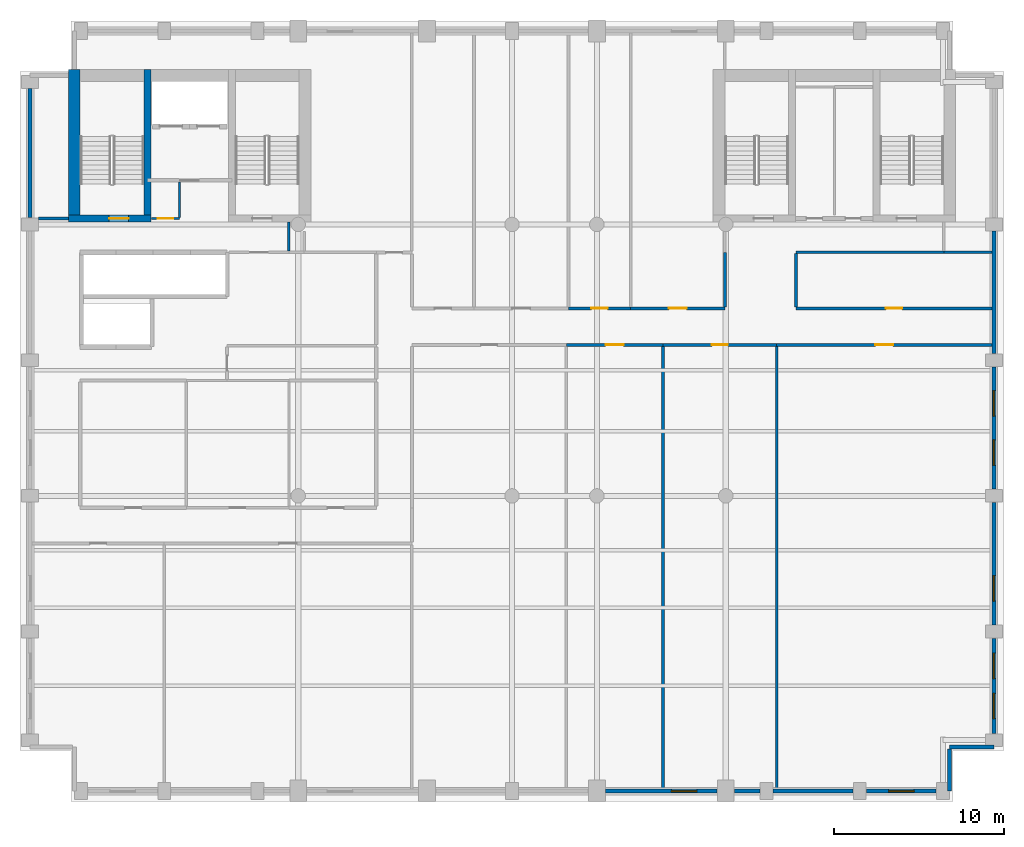
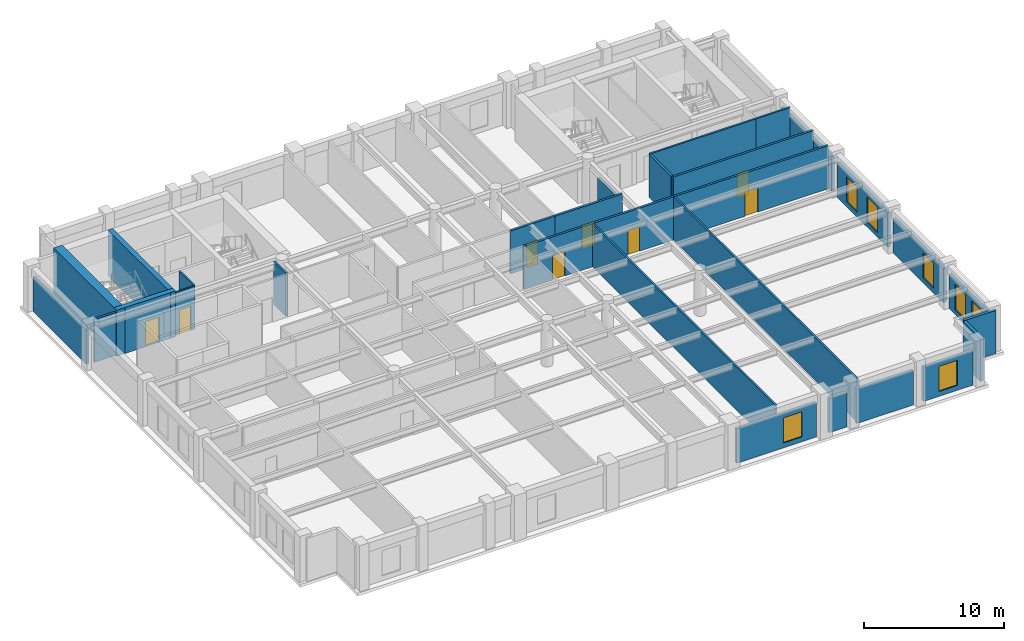
# One storey, part 4 of 8: 30 walls, 8 doors, 7 windows, 15 openings.
"""IFC4 building model written with IfcOpenShell, lengths in metres."""

from ifc_helpers import new_model, si_unit, direction, frame, frame_2d, origin, place, context, subcontext, project, spatial, rectangle, extrude, material, layer, layer_set, type_object, element, fill, save


model = new_model("IFC4")

# Units and contexts
model_context = context("Model", 3, precision=1e-05, world=origin(), true_north=direction((0.0, 1.0)))
body_context = subcontext(model_context, "Body", "Model", "MODEL_VIEW")
ifc_project = project(units=[si_unit("LENGTHUNIT", "METRE"), si_unit("AREAUNIT", "SQUARE_METRE"), si_unit("VOLUMEUNIT", "CUBIC_METRE"), si_unit("PLANEANGLEUNIT", "RADIAN"), si_unit("MASSUNIT", "GRAM", prefix="KILO")], contexts=[model_context])

# Site, building, storey
site_placement = place(None, origin())
site = spatial("IfcSite", under=ifc_project, at=site_placement, CompositionType="ELEMENT")
building_placement = place(site_placement, origin())
building = spatial("IfcBuilding", under=site, at=building_placement, Name="Sulina Concourse Tower", CompositionType="ELEMENT")
storey_placement = place(building_placement, frame((0.0, 0.0, 226.60009765625)))
storey = spatial("IfcBuildingStorey", under=building, at=storey_placement, Name="L55", CompositionType="ELEMENT", Elevation=226.60009765625)

# Wall, opening, window
ifc_material_1 = material(Name="Precast concrete C50/60", Category="concrete")
ifc_layer_1 = layer(ifc_material_1, 0.239990234375)
ifc_layer_set_1 = layer_set([ifc_layer_1], Name="Precast concrete C50/60")
wall_type_1 = type_object("IfcWallType", Name="Crown Precast Masonry-Frame Facade Wall 240mm", PredefinedType="SOLIDWALL", material=ifc_layer_set_1)
wall_1_placement = place(storey_placement, frame((41.080078125, 0.60009765625, 0.0), z_axis=(0.0, 0.0, 1.0), x_axis=(-1.0, 0.0, 0.0)))
wall_1 = element("IfcWall", 1, at=wall_1_placement, inside=storey, type_object=wall_type_1, Name="L55 exterior precast wall S7", PredefinedType="SOLIDWALL", context=body_context, shape_type="SweptSolid", body=[
    extrude(rectangle(XDim=6.56005859375, YDim=0.239990234375, at=frame_2d((3.280029296875, 0.0))), origin(), (0.0, 0.0, 1.0), 3.0),
])
opening_1_placement = place(wall_1_placement, frame((1.186767578125, 0.0, 0.419921875)))
opening_1 = element("IfcOpeningElement", 2, at=opening_1_placement, cuts=wall_1, Name="Opening WN-71", PredefinedType="OPENING", context=body_context, shape_type="SweptSolid", body=[
    extrude(rectangle(XDim=1.5, YDim=2.199951171875, at=frame_2d((0.75, 1.10009765625))), frame((0.0, 0.1298828125, 0.0), z_axis=(0.0, -1.0, 0.0), x_axis=(1.0, 0.0, 0.0)), (0.0, 0.0, 1.0), 0.260009765625),
])
ifc_material_2 = material(Name="Low-E solar double glazing in bronze aluminium", Category="aluminium")
window_type = type_object("IfcWindowType", Name="Punched Masonry-Frame Window 1500x2200", PartitioningType="SINGLE_PANEL", PredefinedType="WINDOW", material=ifc_material_2)
window_1_placement = place(opening_1_placement, origin())
window_1 = element("IfcWindow", 3, at=window_1_placement, inside=storey, type_object=window_type, Name="L55 punched window S7-1", OverallHeight=2.199951171875, OverallWidth=1.5, PartitioningType="SINGLE_PANEL", PredefinedType="WINDOW", context=body_context, shape_type="SweptSolid", body=[
    extrude(rectangle(XDim=1.5, YDim=2.199951171875, at=frame_2d((0.75, 1.10009765625))), frame((0.0, 0.030029296875, 0.0), z_axis=(0.0, -1.0, 0.0), x_axis=(1.0, 0.0, 0.0)), (0.0, 0.0, 1.0), 0.06005859375),
])
fill(opening_1, window_1)

# Walls
wall_2_placement = place(storey_placement, frame((43.60498046875, 0.60009765625, 0.0), z_axis=(0.0, 0.0, 1.0), x_axis=(-1.0, 0.0, 0.0)))
element("IfcWall", 4, at=wall_2_placement, inside=storey, type_object=wall_type_1, Name="L55 exterior precast wall S8", PredefinedType="SOLIDWALL", context=body_context, shape_type="SweptSolid", body=[
    extrude(rectangle(XDim=1.48486328125, YDim=0.239990234375, at=frame_2d((0.742431640625, 0.0))), origin(), (0.0, 0.0, 1.0), 3.0),
])
wall_3_placement = place(storey_placement, frame((49.10498046875, 0.60009765625, 0.0), z_axis=(0.0, 0.0, 1.0), x_axis=(-1.0, 0.0, 0.0)))
element("IfcWall", 5, at=wall_3_placement, inside=storey, type_object=wall_type_1, Name="L55 exterior precast wall S9", PredefinedType="SOLIDWALL", context=body_context, shape_type="SweptSolid", body=[
    extrude(rectangle(XDim=4.7099609375, YDim=0.239990234375, at=frame_2d((2.35498046875, 0.0))), origin(), (0.0, 0.0, 1.0), 3.0),
])

# Wall, opening, window
wall_4_placement = place(storey_placement, frame((54.0048828125, 0.60009765625, 0.0), z_axis=(0.0, 0.0, 1.0), x_axis=(-1.0, 0.0, 0.0)))
wall_4 = element("IfcWall", 6, at=wall_4_placement, inside=storey, type_object=wall_type_1, Name="L55 exterior precast wall S10", PredefinedType="SOLIDWALL", context=body_context, shape_type="SweptSolid", body=[
    extrude(rectangle(XDim=4.10986328125, YDim=0.239990234375, at=frame_2d((2.054931640625, 0.0))), origin(), (0.0, 0.0, 1.0), 3.0),
])
opening_2_placement = place(wall_4_placement, frame((1.304931640625, 0.0, 0.419921875)))
opening_2 = element("IfcOpeningElement", 7, at=opening_2_placement, cuts=wall_4, Name="Opening WN-71", PredefinedType="OPENING", context=body_context, shape_type="SweptSolid", body=[
    extrude(rectangle(XDim=1.5, YDim=2.199951171875, at=frame_2d((0.75, 1.10009765625))), frame((0.0, 0.1298828125, 0.0), z_axis=(0.0, -1.0, 0.0), x_axis=(1.0, 0.0, 0.0)), (0.0, 0.0, 1.0), 0.260009765625),
])
window_2_placement = place(opening_2_placement, origin())
window_2 = element("IfcWindow", 8, at=window_2_placement, inside=storey, type_object=window_type, Name="L55 punched window S10-1", OverallHeight=2.199951171875, OverallWidth=1.5, PartitioningType="SINGLE_PANEL", PredefinedType="WINDOW", context=body_context, shape_type="SweptSolid", body=[
    extrude(rectangle(XDim=1.5, YDim=2.199951171875, at=frame_2d((0.75, 1.10009765625))), frame((0.0, 0.030029296875, 0.0), z_axis=(0.0, -1.0, 0.0), x_axis=(1.0, 0.0, 0.0)), (0.0, 0.0, 1.0), 0.06005859375),
])
fill(opening_2, window_2)

# Wall
wall_5_placement = place(storey_placement, frame((0.60009765625, 34.39501953125, 0.0), z_axis=(0.0, 0.0, 1.0), x_axis=(0.0, 1.0, 0.0)))
element("IfcWall", 9, at=wall_5_placement, inside=storey, type_object=wall_type_1, Name="L55 exterior precast wall W5", PredefinedType="SOLIDWALL", context=body_context, shape_type="SweptSolid", body=[
    extrude(rectangle(XDim=7.60986328125, YDim=0.239990234375, at=frame_2d((3.804931640625, 0.0))), origin(), (0.0, 0.0, 1.0), 3.0),
])

# Wall, openings, windows
wall_6_placement = place(storey_placement, frame((57.39990234375, 9.60498046875, 0.0), z_axis=(0.0, 0.0, 1.0), x_axis=(0.0, -1.0, 0.0)))
wall_6 = element("IfcWall", 10, at=wall_6_placement, inside=storey, type_object=wall_type_1, Name="L55 exterior precast wall E1", PredefinedType="SOLIDWALL", context=body_context, shape_type="SweptSolid", body=[
    extrude(rectangle(XDim=5.60986328125, YDim=0.239990234375, at=frame_2d((2.804931640625, 0.0))), origin(), (0.0, 0.0, 1.0), 3.0),
])
opening_3_placement = place(wall_6_placement, frame((0.8701171875, 0.0, 0.419921875)))
opening_3 = element("IfcOpeningElement", 11, at=opening_3_placement, cuts=wall_6, Name="Opening WN-71", PredefinedType="OPENING", context=body_context, shape_type="SweptSolid", body=[
    extrude(rectangle(XDim=1.5, YDim=2.199951171875, at=frame_2d((0.75, 1.10009765625))), frame((0.0, 0.1298828125, 0.0), z_axis=(0.0, -1.0, 0.0), x_axis=(1.0, 0.0, 0.0)), (0.0, 0.0, 1.0), 0.260009765625),
])
opening_4_placement = place(wall_6_placement, frame((3.239990234375, 0.0, 0.419921875)))
opening_4 = element("IfcOpeningElement", 12, at=opening_4_placement, cuts=wall_6, Name="Opening WN-71", PredefinedType="OPENING", context=body_context, shape_type="SweptSolid", body=[
    extrude(rectangle(XDim=1.5, YDim=2.199951171875, at=frame_2d((0.75, 1.10009765625))), frame((0.0, 0.1298828125, 0.0), z_axis=(0.0, -1.0, 0.0), x_axis=(1.0, 0.0, 0.0)), (0.0, 0.0, 1.0), 0.260009765625),
])
window_3_placement = place(opening_3_placement, origin())
window_3 = element("IfcWindow", 13, at=window_3_placement, inside=storey, type_object=window_type, Name="L55 punched window E1-1", OverallHeight=2.199951171875, OverallWidth=1.5, PartitioningType="SINGLE_PANEL", PredefinedType="WINDOW", context=body_context, shape_type="SweptSolid", body=[
    extrude(rectangle(XDim=1.5, YDim=2.199951171875, at=frame_2d((0.75, 1.10009765625))), frame((0.0, 0.030029296875, 0.0), z_axis=(0.0, -1.0, 0.0), x_axis=(1.0, 0.0, 0.0)), (0.0, 0.0, 1.0), 0.06005859375),
])
fill(opening_3, window_3)
window_4_placement = place(opening_4_placement, origin())
window_4 = element("IfcWindow", 14, at=window_4_placement, inside=storey, type_object=window_type, Name="L55 punched window E1-2", OverallHeight=2.199951171875, OverallWidth=1.5, PartitioningType="SINGLE_PANEL", PredefinedType="WINDOW", context=body_context, shape_type="SweptSolid", body=[
    extrude(rectangle(XDim=1.5, YDim=2.199951171875, at=frame_2d((0.75, 1.10009765625))), frame((0.0, 0.030029296875, 0.0), z_axis=(0.0, -1.0, 0.0), x_axis=(1.0, 0.0, 0.0)), (0.0, 0.0, 1.0), 0.06005859375),
])
fill(opening_4, window_4)

# Wall, opening, window
wall_7_placement = place(storey_placement, frame((57.39990234375, 17.60498046875, 0.0), z_axis=(0.0, 0.0, 1.0), x_axis=(0.0, -1.0, 0.0)))
wall_7 = element("IfcWall", 15, at=wall_7_placement, inside=storey, type_object=wall_type_1, Name="L55 exterior precast wall E2", PredefinedType="SOLIDWALL", context=body_context, shape_type="SweptSolid", body=[
    extrude(rectangle(XDim=7.2099609375, YDim=0.239990234375, at=frame_2d((3.60498046875, 0.0))), origin(), (0.0, 0.0, 1.0), 3.0),
])
opening_5_placement = place(wall_7_placement, frame((4.306640625, 0.0, 0.419921875)))
opening_5 = element("IfcOpeningElement", 16, at=opening_5_placement, cuts=wall_7, Name="Opening WN-71", PredefinedType="OPENING", context=body_context, shape_type="SweptSolid", body=[
    extrude(rectangle(XDim=1.5, YDim=2.199951171875, at=frame_2d((0.75, 1.10009765625))), frame((0.0, 0.1298828125, 0.0), z_axis=(0.0, -1.0, 0.0), x_axis=(1.0, 0.0, 0.0)), (0.0, 0.0, 1.0), 0.260009765625),
])
window_5_placement = place(opening_5_placement, origin())
window_5 = element("IfcWindow", 17, at=window_5_placement, inside=storey, type_object=window_type, Name="L55 punched window E2-1", OverallHeight=2.199951171875, OverallWidth=1.5, PartitioningType="SINGLE_PANEL", PredefinedType="WINDOW", context=body_context, shape_type="SweptSolid", body=[
    extrude(rectangle(XDim=1.5, YDim=2.199951171875, at=frame_2d((0.75, 1.10009765625))), frame((0.0, 0.030029296875, 0.0), z_axis=(0.0, -1.0, 0.0), x_axis=(1.0, 0.0, 0.0)), (0.0, 0.0, 1.0), 0.06005859375),
])
fill(opening_5, window_5)

# Wall, openings, windows
wall_8_placement = place(storey_placement, frame((57.39990234375, 25.60498046875, 0.0), z_axis=(0.0, 0.0, 1.0), x_axis=(0.0, -1.0, 0.0)))
wall_8 = element("IfcWall", 18, at=wall_8_placement, inside=storey, type_object=wall_type_1, Name="L55 exterior precast wall E3", PredefinedType="SOLIDWALL", context=body_context, shape_type="SweptSolid", body=[
    extrude(rectangle(XDim=7.2099609375, YDim=0.239990234375, at=frame_2d((3.60498046875, 0.0))), origin(), (0.0, 0.0, 1.0), 3.0),
])
opening_6_placement = place(wall_8_placement, frame((1.4033203125, 0.0, 0.419921875)))
opening_6 = element("IfcOpeningElement", 19, at=opening_6_placement, cuts=wall_8, Name="Opening WN-71", PredefinedType="OPENING", context=body_context, shape_type="SweptSolid", body=[
    extrude(rectangle(XDim=1.5, YDim=2.199951171875, at=frame_2d((0.75, 1.10009765625))), frame((0.0, 0.1298828125, 0.0), z_axis=(0.0, -1.0, 0.0), x_axis=(1.0, 0.0, 0.0)), (0.0, 0.0, 1.0), 0.260009765625),
])
opening_7_placement = place(wall_8_placement, frame((4.306640625, 0.0, 0.419921875)))
opening_7 = element("IfcOpeningElement", 20, at=opening_7_placement, cuts=wall_8, Name="Opening WN-71", PredefinedType="OPENING", context=body_context, shape_type="SweptSolid", body=[
    extrude(rectangle(XDim=1.5, YDim=2.199951171875, at=frame_2d((0.75, 1.10009765625))), frame((0.0, 0.1298828125, 0.0), z_axis=(0.0, -1.0, 0.0), x_axis=(1.0, 0.0, 0.0)), (0.0, 0.0, 1.0), 0.260009765625),
])
window_6_placement = place(opening_6_placement, origin())
window_6 = element("IfcWindow", 21, at=window_6_placement, inside=storey, type_object=window_type, Name="L55 punched window E3-1", OverallHeight=2.199951171875, OverallWidth=1.5, PartitioningType="SINGLE_PANEL", PredefinedType="WINDOW", context=body_context, shape_type="SweptSolid", body=[
    extrude(rectangle(XDim=1.5, YDim=2.199951171875, at=frame_2d((0.75, 1.10009765625))), frame((0.0, 0.030029296875, 0.0), z_axis=(0.0, -1.0, 0.0), x_axis=(1.0, 0.0, 0.0)), (0.0, 0.0, 1.0), 0.06005859375),
])
fill(opening_6, window_6)
window_7_placement = place(opening_7_placement, origin())
window_7 = element("IfcWindow", 22, at=window_7_placement, inside=storey, type_object=window_type, Name="L55 punched window E3-2", OverallHeight=2.199951171875, OverallWidth=1.5, PartitioningType="SINGLE_PANEL", PredefinedType="WINDOW", context=body_context, shape_type="SweptSolid", body=[
    extrude(rectangle(XDim=1.5, YDim=2.199951171875, at=frame_2d((0.75, 1.10009765625))), frame((0.0, 0.030029296875, 0.0), z_axis=(0.0, -1.0, 0.0), x_axis=(1.0, 0.0, 0.0)), (0.0, 0.0, 1.0), 0.06005859375),
])
fill(opening_7, window_7)

# Walls
wall_9_placement = place(storey_placement, frame((57.39990234375, 33.60498046875, 0.0), z_axis=(0.0, 0.0, 1.0), x_axis=(0.0, -1.0, 0.0)))
element("IfcWall", 23, at=wall_9_placement, inside=storey, type_object=wall_type_1, Name="L55 exterior precast wall E4", PredefinedType="SOLIDWALL", context=body_context, shape_type="SweptSolid", body=[
    extrude(rectangle(XDim=7.2099609375, YDim=0.239990234375, at=frame_2d((3.60498046875, 0.0))), origin(), (0.0, 0.0, 1.0), 3.0),
])
wall_10_placement = place(storey_placement, frame((57.39990234375, 3.205078125, 0.0), z_axis=(0.0, 0.0, 1.0), x_axis=(-1.0, 0.0, 0.0)))
element("IfcWall", 24, at=wall_10_placement, inside=storey, type_object=wall_type_1, Name="L55 exterior precast wall CSE1", PredefinedType="SOLIDWALL", context=body_context, shape_type="SweptSolid", body=[
    extrude(rectangle(XDim=2.60498046875, YDim=0.239990234375, at=frame_2d((1.302490234375, 0.0))), origin(), (0.0, 0.0, 1.0), 3.75),
])
wall_11_placement = place(storey_placement, frame((54.794921875, 3.080078125, 0.0), z_axis=(0.0, 0.0, 1.0), x_axis=(0.0, -1.0, 0.0)))
element("IfcWall", 25, at=wall_11_placement, inside=storey, type_object=wall_type_1, Name="L55 exterior precast wall CSE2", PredefinedType="SOLIDWALL", context=body_context, shape_type="SweptSolid", body=[
    extrude(rectangle(XDim=2.47998046875, YDim=0.239990234375, at=frame_2d((1.239990234375, 0.0))), origin(), (0.0, 0.0, 1.0), 3.75),
])
ifc_material_3 = material(Name="Gypsum board on steel stud", Category="steel")
ifc_layer_2 = layer(ifc_material_3, 0.14990234375)
ifc_layer_set_2 = layer_set([ifc_layer_2], Name="Gypsum board on steel stud")
wall_type_2 = type_object("IfcWallType", Name="Inter-Tenancy Acoustic Partition 150mm", PredefinedType="PARTITIONING", material=ifc_layer_set_2)
wall_12_placement = place(storey_placement, frame((45.75, 32.35009765625, 0.0), z_axis=(0.0, 0.0, 1.0), x_axis=(1.0, 0.0, 0.0)))
element("IfcWall", 26, at=wall_12_placement, inside=storey, type_object=wall_type_2, Name="L55 interior partition 024", PredefinedType="PARTITIONING", context=body_context, shape_type="SweptSolid", body=[
    extrude(rectangle(XDim=8.699951171875, YDim=0.14990234375, at=frame_2d((4.35009765625, 0.0))), origin(), (0.0, 0.0, 1.0), 3.75),
])
wall_13_placement = place(storey_placement, frame((54.449951171875, 32.35009765625, 0.0), z_axis=(0.0, 0.0, 1.0), x_axis=(1.0, 0.0, 0.0)))
element("IfcWall", 27, at=wall_13_placement, inside=storey, type_object=wall_type_2, Name="L55 interior partition 025", PredefinedType="PARTITIONING", context=body_context, shape_type="SweptSolid", body=[
    extrude(rectangle(XDim=2.830078125, YDim=0.14990234375, at=frame_2d((1.4150390625, 0.0))), origin(), (0.0, 0.0, 1.0), 3.75),
])
wall_14_placement = place(storey_placement, frame((15.85009765625, 32.425048828125, 0.0), z_axis=(0.0, 0.0, 1.0), x_axis=(0.0, 1.0, 0.0)))
element("IfcWall", 28, at=wall_14_placement, inside=storey, type_object=wall_type_2, Name="L55 interior partition 036", PredefinedType="PARTITIONING", context=body_context, shape_type="SweptSolid", body=[
    extrude(rectangle(XDim=1.724853515625, YDim=0.14990234375, at=frame_2d((0.8623046875, 0.0))), origin(), (0.0, 0.0, 1.0), 3.75),
])
for number, where, z_axis, x_axis, name in (
    (29, (37.89990234375, 0.719970703125, 0.0), (0.0, 0.0, 1.0), (0.0, 1.0, 0.0), "L55 interior partition 050"),
    (30, (44.60009765625, 0.719970703125, 0.0), (0.0, 0.0, 1.0), (0.0, 1.0, 0.0), "L55 interior partition 054"),
):
    element("IfcWall", number, at=place(storey_placement, frame(where, z_axis=z_axis, x_axis=x_axis)), inside=storey, type_object=wall_type_2, Name=name, PredefinedType="PARTITIONING", context=body_context, shape_type="SweptSolid", body=[
        extrude(rectangle(XDim=26.090087890625, YDim=0.14990234375, at=frame_2d((13.044921875, 0.0))), origin(), (0.0, 0.0, 1.0), 3.75),
    ])

# Wall, opening, door
ifc_material_4 = material(Name="Gypsum board on steel stud", Category="steel")
ifc_layer_3 = layer(ifc_material_4, 0.179931640625)
ifc_layer_set_3 = layer_set([ifc_layer_3], Name="Gypsum board on steel stud")
wall_type_3 = type_object("IfcWallType", Name="Protected Corridor & Riser Partition 180mm", PredefinedType="PARTITIONING", material=ifc_layer_set_3)
wall_15_placement = place(storey_placement, frame((32.199951171875, 26.89990234375, 0.0), z_axis=(0.0, 0.0, 1.0), x_axis=(1.0, 0.0, 0.0)))
wall_15 = element("IfcWall", 31, at=wall_15_placement, inside=storey, type_object=wall_type_3, Name="L55 interior partition 012", PredefinedType="PARTITIONING", context=body_context, shape_type="SweptSolid", body=[
    extrude(rectangle(XDim=5.699951171875, YDim=0.179931640625, at=frame_2d((2.85009765625, 0.0))), origin(), (0.0, 0.0, 1.0), 3.75),
])
opening_8_placement = place(wall_15_placement, frame((2.324951171875, 0.0, 0.0)))
opening_8 = element("IfcOpeningElement", 32, at=opening_8_placement, cuts=wall_15, Name="Opening DR-37", PredefinedType="OPENING", context=body_context, shape_type="SweptSolid", body=[
    extrude(rectangle(XDim=1.050048828125, YDim=2.14990234375, at=frame_2d((0.52490234375, 1.074951171875))), frame((0.0, 0.099853515625, 0.0), z_axis=(0.0, -1.0, 0.0), x_axis=(1.0, 0.0, 0.0)), (0.0, 0.0, 1.0), 0.199951171875),
])
ifc_material_5 = material(Name="Oak-veneered fire door leaf")
ifc_layer_4 = layer(ifc_material_5, 0.050048828125)
ifc_layer_set_4 = layer_set([ifc_layer_4], Name="Oak-veneered fire door leaf")
door_type_1 = type_object("IfcDoorType", Name="Tenant Suite Entrance Fire Door 1050x2150", OperationType="NOTDEFINED", PredefinedType="DOOR", material=ifc_layer_set_4)
door_1_placement = place(opening_8_placement, origin())
door_1 = element("IfcDoor", 33, at=door_1_placement, inside=storey, type_object=door_type_1, Name="L55 interior door L55-S04A", OperationType="SINGLE_SWING_LEFT", OverallHeight=2.14990234375, OverallWidth=1.050048828125, PredefinedType="DOOR", context=body_context, shape_type="SweptSolid", body=[
    extrude(rectangle(XDim=1.050048828125, YDim=2.14990234375, at=frame_2d((0.52490234375, 1.074951171875))), frame((0.0, 0.02490234375, 0.0), z_axis=(0.0, -1.0, 0.0), x_axis=(1.0, 0.0, 0.0)), (0.0, 0.0, 1.0), 0.050048828125),
])
fill(opening_8, door_1)

wall_16_placement = place(storey_placement, frame((37.89990234375, 26.89990234375, 0.0), z_axis=(0.0, 0.0, 1.0), x_axis=(1.0, 0.0, 0.0)))
wall_16 = element("IfcWall", 34, at=wall_16_placement, inside=storey, type_object=wall_type_3, Name="L55 interior partition 013", PredefinedType="PARTITIONING", context=body_context, shape_type="SweptSolid", body=[
    extrude(rectangle(XDim=6.7001953125, YDim=0.179931640625, at=frame_2d((3.35009765625, 0.0))), origin(), (0.0, 0.0, 1.0), 3.75),
])
opening_9_placement = place(wall_16_placement, frame((2.875, 0.0, 0.0)))
opening_9 = element("IfcOpeningElement", 35, at=opening_9_placement, cuts=wall_16, Name="Opening DR-19", PredefinedType="OPENING", context=body_context, shape_type="SweptSolid", body=[
    extrude(rectangle(XDim=0.949951171875, YDim=2.14990234375, at=frame_2d((0.47509765625, 1.074951171875))), frame((0.0, 0.099853515625, 0.0), z_axis=(0.0, -1.0, 0.0), x_axis=(1.0, 0.0, 0.0)), (0.0, 0.0, 1.0), 0.199951171875),
])
ifc_material_6 = material(Name="Oak-veneered acoustic timber leaf", Category="wood")
ifc_layer_5 = layer(ifc_material_6, 0.050048828125)
ifc_layer_set_5 = layer_set([ifc_layer_5], Name="Oak-veneered acoustic timber leaf")
door_type_2 = type_object("IfcDoorType", Name="Cellular Office & Meeting Door 950x2150", OperationType="NOTDEFINED", PredefinedType="DOOR", material=ifc_layer_set_5)
door_2_placement = place(opening_9_placement, origin())
door_2 = element("IfcDoor", 36, at=door_2_placement, inside=storey, type_object=door_type_2, Name="L55 interior door L55-S04B", OperationType="SINGLE_SWING_RIGHT", OverallHeight=2.14990234375, OverallWidth=0.949951171875, PredefinedType="DOOR", context=body_context, shape_type="SweptSolid", body=[
    extrude(rectangle(XDim=0.949951171875, YDim=2.14990234375, at=frame_2d((0.47509765625, 1.074951171875))), frame((0.0, 0.02490234375, 0.0), z_axis=(0.0, -1.0, 0.0), x_axis=(1.0, 0.0, 0.0)), (0.0, 0.0, 1.0), 0.050048828125),
])
fill(opening_9, door_2)

wall_17_placement = place(storey_placement, frame((44.60009765625, 26.89990234375, 0.0), z_axis=(0.0, 0.0, 1.0), x_axis=(1.0, 0.0, 0.0)))
wall_17 = element("IfcWall", 37, at=wall_17_placement, inside=storey, type_object=wall_type_3, Name="L55 interior partition 014", PredefinedType="PARTITIONING", context=body_context, shape_type="SweptSolid", body=[
    extrude(rectangle(XDim=12.679931640625, YDim=0.179931640625, at=frame_2d((6.33984375, 0.0))), origin(), (0.0, 0.0, 1.0), 3.75),
])
opening_10_placement = place(wall_17_placement, frame((5.81494140625, 0.0, 0.0)))
opening_10 = element("IfcOpeningElement", 38, at=opening_10_placement, cuts=wall_17, Name="Opening DR-37", PredefinedType="OPENING", context=body_context, shape_type="SweptSolid", body=[
    extrude(rectangle(XDim=1.050048828125, YDim=2.14990234375, at=frame_2d((0.52490234375, 1.074951171875))), frame((0.0, 0.099853515625, 0.0), z_axis=(0.0, -1.0, 0.0), x_axis=(1.0, 0.0, 0.0)), (0.0, 0.0, 1.0), 0.199951171875),
])
door_3_placement = place(opening_10_placement, origin())
door_3 = element("IfcDoor", 39, at=door_3_placement, inside=storey, type_object=door_type_1, Name="L55 interior door L55-S05", OperationType="SINGLE_SWING_LEFT", OverallHeight=2.14990234375, OverallWidth=1.050048828125, PredefinedType="DOOR", context=body_context, shape_type="SweptSolid", body=[
    extrude(rectangle(XDim=1.050048828125, YDim=2.14990234375, at=frame_2d((0.52490234375, 1.074951171875))), frame((0.0, 0.02490234375, 0.0), z_axis=(0.0, -1.0, 0.0), x_axis=(1.0, 0.0, 0.0)), (0.0, 0.0, 1.0), 0.050048828125),
])
fill(opening_10, door_3)

wall_18_placement = place(storey_placement, frame((32.330078125, 29.050048828125, 0.0), z_axis=(0.0, 0.0, 1.0), x_axis=(1.0, 0.0, 0.0)))
wall_18 = element("IfcWall", 40, at=wall_18_placement, inside=storey, type_object=wall_type_3, Name="L55 interior partition 017", PredefinedType="PARTITIONING", context=body_context, shape_type="SweptSolid", body=[
    extrude(rectangle(XDim=3.659912109375, YDim=0.179931640625, at=frame_2d((1.830078125, 0.0))), origin(), (0.0, 0.0, 1.0), 3.75),
])
opening_11_placement = place(wall_18_placement, frame((1.35498046875, 0.0, 0.0)))
opening_11 = element("IfcOpeningElement", 41, at=opening_11_placement, cuts=wall_18, Name="Opening DR-19", PredefinedType="OPENING", context=body_context, shape_type="SweptSolid", body=[
    extrude(rectangle(XDim=0.949951171875, YDim=2.14990234375, at=frame_2d((0.47509765625, 1.074951171875))), frame((0.0, 0.099853515625, 0.0), z_axis=(0.0, -1.0, 0.0), x_axis=(1.0, 0.0, 0.0)), (0.0, 0.0, 1.0), 0.199951171875),
])
door_4_placement = place(opening_11_placement, origin())
door_4 = element("IfcDoor", 42, at=door_4_placement, inside=storey, type_object=door_type_2, Name="L55 interior door L55-NC3", OperationType="SINGLE_SWING_RIGHT", OverallHeight=2.14990234375, OverallWidth=0.949951171875, PredefinedType="DOOR", context=body_context, shape_type="SweptSolid", body=[
    extrude(rectangle(XDim=0.949951171875, YDim=2.14990234375, at=frame_2d((0.47509765625, 1.074951171875))), frame((0.0, 0.02490234375, 0.0), z_axis=(0.0, -1.0, 0.0), x_axis=(1.0, 0.0, 0.0)), (0.0, 0.0, 1.0), 0.050048828125),
])
fill(opening_11, door_4)

wall_19_placement = place(storey_placement, frame((35.989990234375, 29.050048828125, 0.0), z_axis=(0.0, 0.0, 1.0), x_axis=(1.0, 0.0, 0.0)))
wall_19 = element("IfcWall", 43, at=wall_19_placement, inside=storey, type_object=wall_type_3, Name="L55 interior partition 018", PredefinedType="PARTITIONING", context=body_context, shape_type="SweptSolid", body=[
    extrude(rectangle(XDim=5.56005859375, YDim=0.179931640625, at=frame_2d((2.780029296875, 0.0))), origin(), (0.0, 0.0, 1.0), 3.75),
])
opening_12_placement = place(wall_19_placement, frame((2.2548828125, 0.0, 0.0)))
opening_12 = element("IfcOpeningElement", 44, at=opening_12_placement, cuts=wall_19, Name="Opening DR-37", PredefinedType="OPENING", context=body_context, shape_type="SweptSolid", body=[
    extrude(rectangle(XDim=1.050048828125, YDim=2.14990234375, at=frame_2d((0.52490234375, 1.074951171875))), frame((0.0, 0.099853515625, 0.0), z_axis=(0.0, -1.0, 0.0), x_axis=(1.0, 0.0, 0.0)), (0.0, 0.0, 1.0), 0.199951171875),
])
door_5_placement = place(opening_12_placement, origin())
door_5 = element("IfcDoor", 45, at=door_5_placement, inside=storey, type_object=door_type_1, Name="L55 interior door L55-NC4", OperationType="SINGLE_SWING_LEFT", OverallHeight=2.14990234375, OverallWidth=1.050048828125, PredefinedType="DOOR", context=body_context, shape_type="SweptSolid", body=[
    extrude(rectangle(XDim=1.050048828125, YDim=2.14990234375, at=frame_2d((0.52490234375, 1.074951171875))), frame((0.0, 0.02490234375, 0.0), z_axis=(0.0, -1.0, 0.0), x_axis=(1.0, 0.0, 0.0)), (0.0, 0.0, 1.0), 0.050048828125),
])
fill(opening_12, door_5)

wall_20_placement = place(storey_placement, frame((45.75, 29.050048828125, 0.0), z_axis=(0.0, 0.0, 1.0), x_axis=(1.0, 0.0, 0.0)))
wall_20 = element("IfcWall", 46, at=wall_20_placement, inside=storey, type_object=wall_type_3, Name="L55 interior partition 019", PredefinedType="PARTITIONING", context=body_context, shape_type="SweptSolid", body=[
    extrude(rectangle(XDim=11.530029296875, YDim=0.179931640625, at=frame_2d((5.76513671875, 0.0))), origin(), (0.0, 0.0, 1.0), 3.75),
])
opening_13_placement = place(wall_20_placement, frame((5.2900390625, 0.0, 0.0)))
opening_13 = element("IfcOpeningElement", 47, at=opening_13_placement, cuts=wall_20, Name="Opening DR-19", PredefinedType="OPENING", context=body_context, shape_type="SweptSolid", body=[
    extrude(rectangle(XDim=0.949951171875, YDim=2.14990234375, at=frame_2d((0.47509765625, 1.074951171875))), frame((0.0, 0.099853515625, 0.0), z_axis=(0.0, -1.0, 0.0), x_axis=(1.0, 0.0, 0.0)), (0.0, 0.0, 1.0), 0.199951171875),
])
door_6_placement = place(opening_13_placement, origin())
door_6 = element("IfcDoor", 48, at=door_6_placement, inside=storey, type_object=door_type_2, Name="L55 interior door L55-NE1", OperationType="SINGLE_SWING_RIGHT", OverallHeight=2.14990234375, OverallWidth=0.949951171875, PredefinedType="DOOR", context=body_context, shape_type="SweptSolid", body=[
    extrude(rectangle(XDim=0.949951171875, YDim=2.14990234375, at=frame_2d((0.47509765625, 1.074951171875))), frame((0.0, 0.02490234375, 0.0), z_axis=(0.0, -1.0, 0.0), x_axis=(1.0, 0.0, 0.0)), (0.0, 0.0, 1.0), 0.050048828125),
])
fill(opening_13, door_6)

# Walls
wall_21_placement = place(storey_placement, frame((1.10009765625, 34.35009765625, 0.0), z_axis=(0.0, 0.0, 1.0), x_axis=(1.0, 0.0, 0.0)))
element("IfcWall", 49, at=wall_21_placement, inside=storey, type_object=wall_type_3, Name="L55 interior partition 026", PredefinedType="PARTITIONING", context=body_context, shape_type="SweptSolid", body=[
    extrude(rectangle(XDim=1.75, YDim=0.179931640625, at=frame_2d((0.875, 0.0))), origin(), (0.0, 0.0, 1.0), 3.75),
])
wall_22_placement = place(storey_placement, frame((41.550048828125, 29.139892578125, 0.0), z_axis=(0.0, 0.0, 1.0), x_axis=(0.0, 1.0, 0.0)))
element("IfcWall", 50, at=wall_22_placement, inside=storey, type_object=wall_type_3, Name="L55 interior partition 051", PredefinedType="PARTITIONING", context=body_context, shape_type="SweptSolid", body=[
    extrude(rectangle(XDim=3.210205078125, YDim=0.179931640625, at=frame_2d((1.60498046875, 0.0))), origin(), (0.0, 0.0, 1.0), 3.14501953125),
])
wall_23_placement = place(storey_placement, frame((45.75, 29.139892578125, 0.0), z_axis=(0.0, 0.0, 1.0), x_axis=(0.0, 1.0, 0.0)))
element("IfcWall", 51, at=wall_23_placement, inside=storey, type_object=wall_type_3, Name="L55 interior partition 055", PredefinedType="PARTITIONING", context=body_context, shape_type="SweptSolid", body=[
    extrude(rectangle(XDim=3.135009765625, YDim=0.179931640625, at=frame_2d((1.5673828125, 0.0))), origin(), (0.0, 0.0, 1.0), 3.75),
])

# Wall, opening, door
ifc_material_7 = material(Name="Concrete C60/75", Category="concrete")
ifc_layer_6 = layer(ifc_material_7, 0.39990234375)
ifc_layer_set_6 = layer_set([ifc_layer_6], Name="Concrete C60/75")
wall_type_4 = type_object("IfcWallType", Name="Protected Stair Core Shear Wall 400mm", PredefinedType="SHEAR", material=ifc_layer_set_6)
wall_24_placement = place(storey_placement, frame((2.85009765625, 34.35009765625, 0.0), z_axis=(0.0, 0.0, 1.0), x_axis=(1.0, 0.0, 0.0)))
wall_24 = element("IfcWall", 52, at=wall_24_placement, inside=storey, type_object=wall_type_4, Name="L55 west core shear wall CW-WS1", PredefinedType="SHEAR", context=body_context, shape_type="SweptSolid", body=[
    extrude(rectangle(XDim=4.85986328125, YDim=0.39990234375, at=frame_2d((2.429931640625, 0.0))), origin(), (0.0, 0.0, 1.0), 4.0),
])
opening_14_placement = place(wall_24_placement, frame((2.39990234375, 0.0, 0.0)))
opening_14 = element("IfcOpeningElement", 53, at=opening_14_placement, cuts=wall_24, Name="Opening DR-60", PredefinedType="OPENING", context=body_context, shape_type="SweptSolid", body=[
    extrude(rectangle(XDim=1.14990234375, YDim=2.199951171875, at=frame_2d((0.574951171875, 1.10009765625))), frame((0.0, 0.2099609375, 0.0), z_axis=(0.0, -1.0, 0.0), x_axis=(1.0, 0.0, 0.0)), (0.0, 0.0, 1.0), 0.419921875),
])
ifc_material_8 = material(Name="Galvanised steel acoustic fire leaf", Category="steel")
ifc_layer_7 = layer(ifc_material_8, 0.054931640625)
ifc_layer_set_7 = layer_set([ifc_layer_7], Name="Galvanised steel acoustic fire leaf")
door_type_3 = type_object("IfcDoorType", Name="Protected Exit Stair Fire Door 1150x2200", OperationType="NOTDEFINED", PredefinedType="DOOR", material=ifc_layer_set_7)
door_7_placement = place(opening_14_placement, origin())
door_7 = element("IfcDoor", 54, at=door_7_placement, inside=storey, type_object=door_type_3, Name="L55 stair ST-1 lobby fire door", OperationType="SINGLE_SWING_RIGHT", OverallHeight=2.199951171875, OverallWidth=1.14990234375, PredefinedType="DOOR", context=body_context, shape_type="SweptSolid", body=[
    extrude(rectangle(XDim=1.14990234375, YDim=2.199951171875, at=frame_2d((0.574951171875, 1.10009765625))), frame((0.0, 0.02490234375, 0.0), z_axis=(0.0, -1.0, 0.0), x_axis=(1.0, 0.0, 0.0)), (0.0, 0.0, 1.0), 0.050048828125),
])
fill(opening_14, door_7)

# Walls
wall_25_placement = place(storey_placement, frame((7.510009765625, 34.14990234375, 0.0), z_axis=(0.0, 0.0, 1.0), x_axis=(0.0, 1.0, 0.0)))
element("IfcWall", 55, at=wall_25_placement, inside=storey, type_object=wall_type_4, Name="L55 west core shear wall SW-ST1", PredefinedType="SHEAR", context=body_context, shape_type="SweptSolid", body=[
    extrude(rectangle(XDim=8.97998046875, YDim=0.39990234375, at=frame_2d((4.489990234375, 0.0))), origin(), (0.0, 0.0, 1.0), 4.0),
])
ifc_material_9 = material(Name="Concrete C60/75", Category="concrete")
ifc_layer_8 = layer(ifc_material_9, 0.699951171875)
ifc_layer_set_8 = layer_set([ifc_layer_8], Name="Concrete C60/75")
wall_type_5 = type_object("IfcWallType", Name="Rear Core Shear Wall 700mm", PredefinedType="SHEAR", material=ifc_layer_set_8)
wall_26_placement = place(storey_placement, frame((3.199951171875, 34.14990234375, 0.0), z_axis=(0.0, 0.0, 1.0), x_axis=(0.0, 1.0, 0.0)))
element("IfcWall", 56, at=wall_26_placement, inside=storey, type_object=wall_type_5, Name="L55 west core shear wall CW-WW", PredefinedType="SHEAR", context=body_context, shape_type="SweptSolid", body=[
    extrude(rectangle(XDim=8.97998046875, YDim=0.699951171875, at=frame_2d((4.489990234375, 0.0))), origin(), (0.0, 0.0, 1.0), 4.0),
])

# Wall, opening, door
ifc_material_10 = material(Name="Gypsum board on steel stud", Category="steel")
ifc_layer_9 = layer(ifc_material_10, 0.125)
ifc_layer_set_9 = layer_set([ifc_layer_9], Name="Gypsum board on steel stud")
wall_type_6 = type_object("IfcWallType", Name="Wet-Area Moisture-Resistant Partition 125mm", PredefinedType="PARTITIONING", material=ifc_layer_set_9)
wall_27_placement = place(storey_placement, frame((7.75, 34.35009765625, 0.0), z_axis=(0.0, 0.0, 1.0), x_axis=(1.0, 0.0, 0.0)))
wall_27 = element("IfcWall", 57, at=wall_27_placement, inside=storey, type_object=wall_type_6, Name="L55 interior partition 027", PredefinedType="PARTITIONING", context=body_context, shape_type="SweptSolid", body=[
    extrude(rectangle(XDim=1.64990234375, YDim=0.125, at=frame_2d((0.824951171875, 0.0))), origin(), (0.0, 0.0, 1.0), 3.75),
])
opening_15_placement = place(wall_27_placement, frame((0.364990234375, 0.0, 0.0)))
opening_15 = element("IfcOpeningElement", 58, at=opening_15_placement, cuts=wall_27, Name="Opening DR-61", PredefinedType="OPENING", context=body_context, shape_type="SweptSolid", body=[
    extrude(rectangle(XDim=0.919921875, YDim=2.10009765625, at=frame_2d((0.4599609375, 1.050048828125))), frame((0.0, 0.072509765625, 0.0), z_axis=(0.0, -1.0, 0.0), x_axis=(1.0, 0.0, 0.0)), (0.0, 0.0, 1.0), 0.14501953125),
])
ifc_material_11 = material(Name="Oak-veneered fire door leaf")
ifc_layer_10 = layer(ifc_material_11, 0.050048828125)
ifc_layer_set_10 = layer_set([ifc_layer_10], Name="Oak-veneered fire door leaf")
door_type_4 = type_object("IfcDoorType", Name="Accessible WC Door 920x2100", OperationType="NOTDEFINED", PredefinedType="DOOR", material=ifc_layer_set_10)
door_8_placement = place(opening_15_placement, origin())
door_8 = element("IfcDoor", 59, at=door_8_placement, inside=storey, type_object=door_type_4, Name="L55 interior door L55-WC-ACC", OperationType="SINGLE_SWING_LEFT", OverallHeight=2.10009765625, OverallWidth=0.919921875, PredefinedType="DOOR", context=body_context, shape_type="SweptSolid", body=[
    extrude(rectangle(XDim=0.919921875, YDim=2.10009765625, at=frame_2d((0.4599609375, 1.050048828125))), frame((0.0, 0.02490234375, 0.0), z_axis=(0.0, -1.0, 0.0), x_axis=(1.0, 0.0, 0.0)), (0.0, 0.0, 1.0), 0.050048828125),
])
fill(opening_15, door_8)

# Wall
wall_28_placement = place(storey_placement, frame((9.39990234375, 34.41259765625, 0.0), z_axis=(0.0, 0.0, 1.0), x_axis=(0.0, 1.0, 0.0)))
element("IfcWall", 60, at=wall_28_placement, inside=storey, type_object=wall_type_6, Name="L55 interior partition 032", PredefinedType="PARTITIONING", context=body_context, shape_type="SweptSolid", body=[
    extrude(rectangle(XDim=2.077392578125, YDim=0.125, at=frame_2d((1.03857421875, 0.0))), origin(), (0.0, 0.0, 1.0), 3.75),
])

save(model, "model.ifc")
